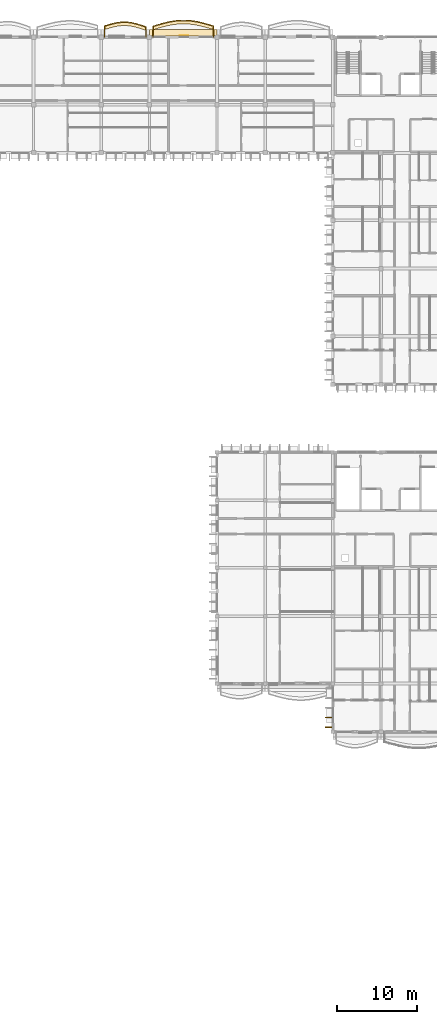
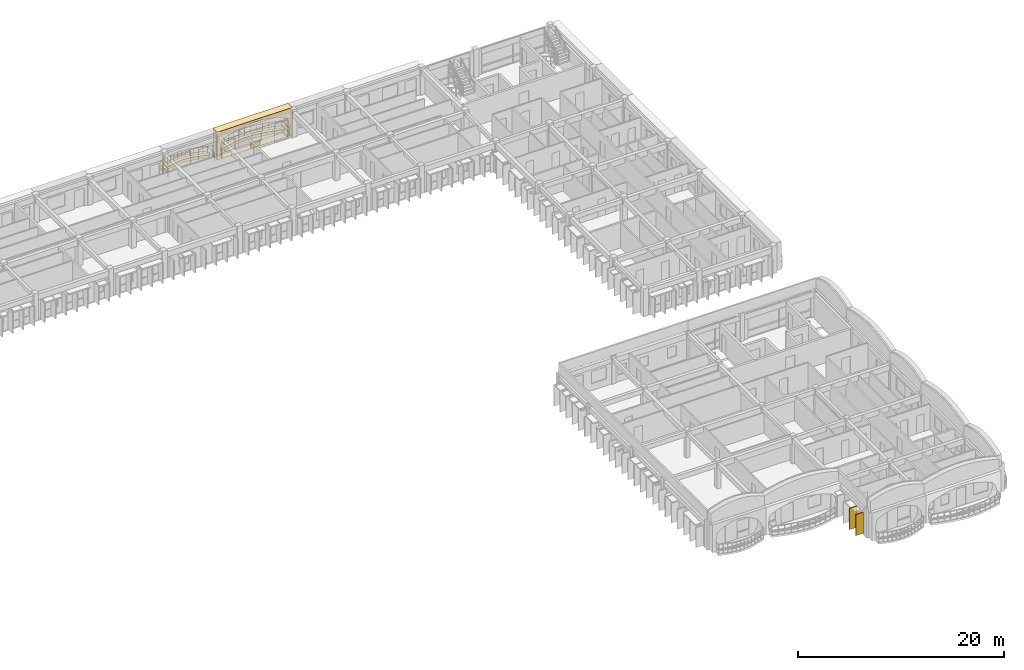
# One storey, part 50 of 59: 6 coverings, 2 railings.
"""IFC4 building model written with IfcOpenShell, lengths in metres."""

from ifc_helpers import new_model, si_unit, direction, frame, origin, origin_2d, place, context, subcontext, project, spatial, polyline, rectangle, outline, extrude, material, layer, layer_set, type_object, element, save


model = new_model("IFC4")

# Units and contexts
model_context = context("Model", 3, precision=1e-05, world=origin(), true_north=direction((0.0, 1.0)))
body_context = subcontext(model_context, "Body", "Model", "MODEL_VIEW")
ifc_project = project(units=[si_unit("LENGTHUNIT", "METRE"), si_unit("AREAUNIT", "SQUARE_METRE"), si_unit("VOLUMEUNIT", "CUBIC_METRE"), si_unit("PLANEANGLEUNIT", "RADIAN"), si_unit("MASSUNIT", "GRAM", prefix="KILO"), si_unit("THERMODYNAMICTEMPERATUREUNIT", "KELVIN")], contexts=[model_context])

# Site, building, storey
site_placement = place(None, origin())
site = spatial("IfcSite", under=ifc_project, at=site_placement, CompositionType="ELEMENT")
building_placement = place(site_placement, origin())
building = spatial("IfcBuilding", under=site, at=building_placement, Name="Thalorik Housing Commons", CompositionType="ELEMENT")
storey_placement = place(building_placement, frame((0.0, 0.0, 27.89990234375)))
storey = spatial("IfcBuildingStorey", under=building, at=storey_placement, Name="L08", CompositionType="ELEMENT", Elevation=27.89990234375)

# Coverings
ifc_material_1 = material(Name="Precast concrete C40/50", Category="concrete")
ifc_layer_1 = layer(ifc_material_1, 0.85009765625, Name="Precast concrete C40/50", Category="concrete")
ifc_layer_set_1 = layer_set([ifc_layer_1], Name="Precast concrete C40/50")
covering_type_1 = type_object("IfcCoveringType", Name="ARC-CLD-CUSH-850", PredefinedType="CLADDING", material=ifc_layer_set_1)
covering_1_placement = place(storey_placement, frame((133.800048828125, 124.1474609375, 0.0), z_axis=(0.0, 0.0, 1.0), x_axis=(-1.0, 0.0, 0.0)))
element("IfcCovering", 1, at=covering_1_placement, inside=storey, type_object=covering_type_1, Name="L08 White Precast Curved Cushion Bay Frame 2712", PredefinedType="CLADDING", context=body_context, shape_type="SweptSolid", body=[
    extrude(outline(polyline([(-4.199951171875, 0.0), (4.199951171875, 0.0), (4.199951171875, 3.300048828125), (-4.199951171875, 3.300048828125), (-4.199951171875, 0.0)]), holes=[polyline([(3.574951171875, 0.02490234375), (3.706787109375, 0.394287109375), (3.7861328125, 0.76318359375), (3.8125, 1.132568359375), (3.7861328125, 1.501708984375), (3.706787109375, 1.870849609375), (3.574951171875, 2.239990234375), (2.974609375, 2.4833984375), (2.374267578125, 2.6748046875), (1.773681640625, 2.82958984375), (1.17333984375, 2.94482421875), (0.572998046875, 3.01611328125), (-0.027587890625, 3.0400390625), (-0.6279296875, 3.01611328125), (-1.228271484375, 2.94482421875), (-1.828857421875, 2.82958984375), (-2.42919921875, 2.6748046875), (-3.029541015625, 2.4833984375), (-3.6298828125, 2.239990234375), (-3.750244140625, 1.870849609375), (-3.822509765625, 1.501708984375), (-3.8466796875, 1.132568359375), (-3.822509765625, 0.76318359375), (-3.750244140625, 0.394287109375), (-3.6298828125, 0.02490234375), (3.574951171875, 0.02490234375)])]), frame((0.0, 0.425048828125, 0.0), z_axis=(0.0, -1.0, 0.0), x_axis=(1.0, 0.0, 0.0)), (0.0, 0.0, 1.0), 0.85009765625),
])
ifc_layer_2 = layer(ifc_material_1, 0.85009765625, Name="Precast concrete C40/50", Category="concrete")
ifc_layer_set_2 = layer_set([ifc_layer_2], Name="Precast concrete C40/50")
covering_type_2 = type_object("IfcCoveringType", Name="ARC-CLD-FIN-850", PredefinedType="CLADDING", material=ifc_layer_set_2)
for number, where, z_axis, x_axis, name in (
    (2, (151.862548828125, 39.0, 0.0400390625), (0.0, 0.0, 1.0), (0.0, -1.0, 0.0), "L08 Courtyard Precast Vertical Brise-Soleil Fin 5101"),
    (3, (151.862548828125, 37.800048828125, 0.0400390625), (0.0, 0.0, 1.0), (0.0, -1.0, 0.0), "L08 Courtyard Precast Vertical Brise-Soleil Fin 5102"),
):
    element("IfcCovering", number, at=place(storey_placement, frame(where, z_axis=z_axis, x_axis=x_axis)), inside=storey, type_object=covering_type_2, Name=name, PredefinedType="CLADDING", context=body_context, shape_type="SweptSolid", body=[
        extrude(rectangle(XDim=0.110107421875, YDim=0.85009765625, at=origin_2d()), origin(), (0.0, 0.0, 1.0), 2.4951171875),
    ])
ifc_material_2 = material(Name="Mineral ochre architectural terracotta panel", Category="masonry")
ifc_layer_3 = layer(ifc_material_2, 0.06494140625, Name="Mineral ochre architectural terracotta panel", Category="masonry")
ifc_layer_set_3 = layer_set([ifc_layer_3], Name="Mineral ochre architectural terracotta panel")
covering_type_3 = type_object("IfcCoveringType", Name="ARC-CLD-YEL-65", PredefinedType="CLADDING", material=ifc_layer_set_3)
covering_2_placement = place(storey_placement, frame((133.89501953125, 123.760009765625, 0.05029296875), z_axis=(0.0, 0.0, 1.0), x_axis=(-1.0, 0.0, 0.0)))
element("IfcCovering", 4, at=covering_2_placement, inside=storey, type_object=covering_type_3, Name="L08 De Stijl Recessed Window Spandrel 2713", PredefinedType="CLADDING", context=body_context, shape_type="SweptSolid", body=[
    extrude(rectangle(XDim=1.050048828125, YDim=0.06494140625, at=origin_2d()), origin(), (0.0, 0.0, 1.0), 0.699951171875),
])
ifc_material_3 = material(Name="Planted vegetated substrate and terracotta trough", Category="masonry")
ifc_layer_4 = layer(ifc_material_3, 0.340087890625, Name="Planted vegetated substrate and terracotta trough", Category="masonry")
ifc_layer_set_4 = layer_set([ifc_layer_4], Name="Planted vegetated substrate and terracotta trough")
covering_type_4 = type_object("IfcCoveringType", Name="ARC-COV-PLANTER", PredefinedType="USERDEFINED", material=ifc_layer_set_4)
covering_3_placement = place(storey_placement, origin())
element("IfcCovering", 5, at=covering_3_placement, inside=storey, type_object=covering_type_4, Name="L08 Balcony Slab-Edge Planted Trough 5518", ObjectType="PLANTER", PredefinedType="USERDEFINED", context=body_context, shape_type="SweptSolid", body=[
    extrude(outline(polyline([(129.179931640625, 124.80078125), (128.75, 124.948486328125), (128.320068359375, 125.089111328125), (127.889892578125, 125.212890625), (127.4599609375, 125.311279296875), (127.030029296875, 125.377685546875), (126.60009765625, 125.407958984375), (126.169921875, 125.39990234375), (125.739990234375, 125.35498046875), (125.31005859375, 125.2763671875), (124.8798828125, 125.170166015625), (124.449951171875, 125.04443359375), (124.02001953125, 124.908203125), (124.02001953125, 124.5283203125), (124.449951171875, 124.664306640625), (124.8798828125, 124.790283203125), (125.31005859375, 124.896240234375), (125.739990234375, 124.974853515625), (126.169921875, 125.02001953125), (126.60009765625, 125.02783203125), (127.030029296875, 124.997802734375), (127.4599609375, 124.931396484375), (127.889892578125, 124.832763671875), (128.320068359375, 124.708984375), (128.75, 124.568603515625), (129.179931640625, 124.4208984375), (129.179931640625, 124.80078125)])), origin(), (0.0, 0.0, 1.0), 0.340087890625),
])
covering_4_placement = place(storey_placement, origin())
element("IfcCovering", 6, at=covering_4_placement, inside=storey, type_object=covering_type_4, Name="L08 Balcony Slab-Edge Planted Trough 5519", ObjectType="PLANTER", PredefinedType="USERDEFINED", context=body_context, shape_type="SweptSolid", body=[
    extrude(outline(polyline([(137.580078125, 124.9052734375), (136.949951171875, 125.095703125), (136.320068359375, 125.2724609375), (135.68994140625, 125.423095703125), (135.06005859375, 125.53759765625), (134.429931640625, 125.60791015625), (133.800048828125, 125.62890625), (133.169921875, 125.599609375), (132.5400390625, 125.521484375), (131.909912109375, 125.400390625), (131.280029296875, 125.24462890625), (130.64990234375, 125.065185546875), (130.02001953125, 124.874267578125), (130.02001953125, 124.494384765625), (130.64990234375, 124.685302734375), (131.280029296875, 124.86474609375), (131.909912109375, 125.0205078125), (132.5400390625, 125.1416015625), (133.169921875, 125.219482421875), (133.800048828125, 125.2490234375), (134.429931640625, 125.227783203125), (135.06005859375, 125.15771484375), (135.68994140625, 125.043212890625), (136.320068359375, 124.892333984375), (136.949951171875, 124.715576171875), (137.580078125, 124.525146484375), (137.580078125, 124.9052734375)])), origin(), (0.0, 0.0, 1.0), 0.340087890625),
])

# Railings
ifc_material_4 = material(Name="Steel S355", Category="steel")
railing_type_1 = type_object("IfcRailingType", Name="ARC-RL-BAL-112", PredefinedType="BALUSTRADE", material=ifc_material_4)
railing_1_placement = place(storey_placement, frame((129.179931640625, 123.60009765625, 0.0)))
element("IfcRailing", 7, at=railing_1_placement, inside=storey, type_object=railing_type_1, Name="L08 Cushion Balcony Guardrail 202", PredefinedType="BALUSTRADE", context=body_context, shape_type="SweptSolid", body=[
    extrude(rectangle(XDim=0.050048828125, YDim=0.050048828125, at=origin_2d()), frame((0.0, 0.0, 1.09521484375), z_axis=(0.0, 1.0, 0.0), x_axis=(-1.0, 0.0, 0.0)), (0.0, 0.0, 1.0), 1.270751953125),
    extrude(rectangle(XDim=0.050048828125, YDim=0.050048828125, at=origin_2d()), frame((0.0, 0.0, 0.53515625), z_axis=(0.0, 1.0, 0.0), x_axis=(-1.0, 0.0, 0.0)), (0.0, 0.0, 1.0), 1.270751953125),
    extrude(rectangle(XDim=0.050048828125, YDim=0.050048828125, at=origin_2d()), frame((0.0, 1.270751953125, 1.09521484375), z_axis=(-0.945743338546, 0.324914662022, 0.0), x_axis=(-0.324914662022, -0.945743338546, 0.0)), (0.0, 0.0, 1.0), 0.45458984375),
    extrude(rectangle(XDim=0.050048828125, YDim=0.050048828125, at=origin_2d()), frame((0.0, 1.270751953125, 0.53515625), z_axis=(-0.945743338546, 0.324914662022, 0.0), x_axis=(-0.324914662022, -0.945743338546, 0.0)), (0.0, 0.0, 1.0), 0.45458984375),
    extrude(rectangle(XDim=0.050048828125, YDim=0.050048828125, at=origin_2d()), frame((-0.429931640625, 1.41845703125, 1.09521484375), z_axis=(-0.950608707094, 0.310391826564, 0.0), x_axis=(-0.310391826564, -0.950608707094, 0.0)), (0.0, 0.0, 1.0), 0.4521484375),
    extrude(rectangle(XDim=0.050048828125, YDim=0.050048828125, at=origin_2d()), frame((-0.429931640625, 1.41845703125, 0.53515625), z_axis=(-0.950608707094, 0.310391826564, 0.0), x_axis=(-0.310391826564, -0.950608707094, 0.0)), (0.0, 0.0, 1.0), 0.4521484375),
    extrude(rectangle(XDim=0.050048828125, YDim=0.050048828125, at=origin_2d()), frame((-0.85986328125, 1.558837890625, 1.09521484375), z_axis=(-0.961007725956, 0.27652151933, 0.0), x_axis=(-0.27652151933, -0.961007725956, 0.0)), (0.0, 0.0, 1.0), 0.447509765625),
    extrude(rectangle(XDim=0.050048828125, YDim=0.050048828125, at=origin_2d()), frame((-0.85986328125, 1.558837890625, 0.53515625), z_axis=(-0.961007725956, 0.27652151933, 0.0), x_axis=(-0.27652151933, -0.961007725956, 0.0)), (0.0, 0.0, 1.0), 0.447509765625),
    extrude(rectangle(XDim=0.050048828125, YDim=0.050048828125, at=origin_2d()), frame((-1.2900390625, 1.6826171875, 1.09521484375), z_axis=(-0.974679568058, 0.2236062155, 0.0), x_axis=(-0.2236062155, -0.974679568058, 0.0)), (0.0, 0.0, 1.0), 0.441162109375),
    extrude(rectangle(XDim=0.050048828125, YDim=0.050048828125, at=origin_2d()), frame((-1.2900390625, 1.6826171875, 0.53515625), z_axis=(-0.974679568058, 0.2236062155, 0.0), x_axis=(-0.2236062155, -0.974679568058, 0.0)), (0.0, 0.0, 1.0), 0.441162109375),
    extrude(rectangle(XDim=0.050048828125, YDim=0.050048828125, at=origin_2d()), frame((-1.719970703125, 1.78125, 1.09521484375), z_axis=(-0.988280690568, 0.152647556976, 0.0), x_axis=(-0.152647556976, -0.988280690568, 0.0)), (0.0, 0.0, 1.0), 0.43505859375),
    extrude(rectangle(XDim=0.050048828125, YDim=0.050048828125, at=origin_2d()), frame((-1.719970703125, 1.78125, 0.53515625), z_axis=(-0.988280690568, 0.152647556976, 0.0), x_axis=(-0.152647556976, -0.988280690568, 0.0)), (0.0, 0.0, 1.0), 0.43505859375),
    extrude(rectangle(XDim=0.050048828125, YDim=0.050048828125, at=origin_2d()), frame((-2.14990234375, 1.84765625, 1.09521484375), z_axis=(-0.997569609779, 0.069676923341, 0.0), x_axis=(-0.069676923341, -0.997569609779, 0.0)), (0.0, 0.0, 1.0), 0.430908203125),
    extrude(rectangle(XDim=0.050048828125, YDim=0.050048828125, at=origin_2d()), frame((-2.14990234375, 1.84765625, 0.53515625), z_axis=(-0.997569609779, 0.069676923341, 0.0), x_axis=(-0.069676923341, -0.997569609779, 0.0)), (0.0, 0.0, 1.0), 0.430908203125),
    extrude(rectangle(XDim=0.050048828125, YDim=0.050048828125, at=origin_2d()), frame((-2.579833984375, 1.877685546875, 1.09521484375), z_axis=(-0.999835126546, -0.01815818618, 0.0), x_axis=(0.01815818618, -0.999835126546, 0.0)), (0.0, 0.0, 1.0), 0.43017578125),
    extrude(rectangle(XDim=0.050048828125, YDim=0.050048828125, at=origin_2d()), frame((-2.579833984375, 1.877685546875, 0.53515625), z_axis=(-0.999835126546, -0.01815818618, 0.0), x_axis=(0.01815818618, -0.999835126546, 0.0)), (0.0, 0.0, 1.0), 0.43017578125),
    extrude(rectangle(XDim=0.050048828125, YDim=0.050048828125, at=origin_2d()), frame((-3.010009765625, 1.869873046875, 1.09521484375), z_axis=(-0.994527093325, -0.104478996176, 0.0), x_axis=(0.104478996176, -0.994527093325, 0.0)), (0.0, 0.0, 1.0), 0.432373046875),
    extrude(rectangle(XDim=0.050048828125, YDim=0.050048828125, at=origin_2d()), frame((-3.010009765625, 1.869873046875, 0.53515625), z_axis=(-0.994527093325, -0.104478996176, 0.0), x_axis=(0.104478996176, -0.994527093325, 0.0)), (0.0, 0.0, 1.0), 0.432373046875),
    extrude(rectangle(XDim=0.050048828125, YDim=0.050048828125, at=origin_2d()), frame((-3.43994140625, 1.82470703125, 1.09521484375), z_axis=(-0.983690667617, -0.179868480961, 0.0), x_axis=(0.179868480961, -0.983690667617, 0.0)), (0.0, 0.0, 1.0), 0.43701171875),
    extrude(rectangle(XDim=0.050048828125, YDim=0.050048828125, at=origin_2d()), frame((-3.43994140625, 1.82470703125, 0.53515625), z_axis=(-0.983690667617, -0.179868480961, 0.0), x_axis=(0.179868480961, -0.983690667617, 0.0)), (0.0, 0.0, 1.0), 0.43701171875),
    extrude(rectangle(XDim=0.050048828125, YDim=0.050048828125, at=origin_2d()), frame((-3.869873046875, 1.74609375, 1.09521484375), z_axis=(-0.970979450466, -0.239162929343, 0.0), x_axis=(0.239162929343, -0.970979450466, 0.0)), (0.0, 0.0, 1.0), 0.443115234375),
    extrude(rectangle(XDim=0.050048828125, YDim=0.050048828125, at=origin_2d()), frame((-3.869873046875, 1.74609375, 0.53515625), z_axis=(-0.970979450466, -0.239162929343, 0.0), x_axis=(0.239162929343, -0.970979450466, 0.0)), (0.0, 0.0, 1.0), 0.443115234375),
    extrude(rectangle(XDim=0.050048828125, YDim=0.050048828125, at=origin_2d()), frame((-4.300048828125, 1.64013671875, 1.09521484375), z_axis=(-0.959798308367, -0.280690589897, 0.0), x_axis=(0.280690589897, -0.959798308367, 0.0)), (0.0, 0.0, 1.0), 0.447998046875),
    extrude(rectangle(XDim=0.050048828125, YDim=0.050048828125, at=origin_2d()), frame((-4.300048828125, 1.64013671875, 0.53515625), z_axis=(-0.959798308367, -0.280690589897, 0.0), x_axis=(0.280690589897, -0.959798308367, 0.0)), (0.0, 0.0, 1.0), 0.447998046875),
    extrude(rectangle(XDim=0.050048828125, YDim=0.050048828125, at=origin_2d()), frame((-4.72998046875, 1.514404296875, 1.09521484375), z_axis=(-0.953287680153, -0.302063898652, 0.0), x_axis=(0.302063898652, -0.953287680153, 0.0)), (0.0, 0.0, 1.0), 0.450927734375),
    extrude(rectangle(XDim=0.050048828125, YDim=0.050048828125, at=origin_2d()), frame((-4.72998046875, 1.514404296875, 0.53515625), z_axis=(-0.953287680153, -0.302063898652, 0.0), x_axis=(0.302063898652, -0.953287680153, 0.0)), (0.0, 0.0, 1.0), 0.450927734375),
    extrude(rectangle(XDim=0.050048828125, YDim=0.050048828125, at=origin_2d()), frame((-5.159912109375, 1.378173828125, 1.09521484375), z_axis=(0.0, -1.0, 0.0), x_axis=(1.0, 0.0, 0.0)), (0.0, 0.0, 1.0), 1.378173828125),
    extrude(rectangle(XDim=0.050048828125, YDim=0.050048828125, at=origin_2d()), frame((-5.159912109375, 1.378173828125, 0.53515625), z_axis=(0.0, -1.0, 0.0), x_axis=(1.0, 0.0, 0.0)), (0.0, 0.0, 1.0), 1.378173828125),
    extrude(rectangle(XDim=0.0419921875, YDim=0.0419921875, at=origin_2d()), origin(), (0.0, 0.0, 1.0), 1.070068359375),
    extrude(rectangle(XDim=0.0419921875, YDim=0.0419921875, at=origin_2d()), frame((0.0, 1.270751953125, 0.0)), (0.0, 0.0, 1.0), 1.070068359375),
    extrude(rectangle(XDim=0.0419921875, YDim=0.0419921875, at=origin_2d()), frame((-0.429931640625, 1.41845703125, 0.0)), (0.0, 0.0, 1.0), 1.070068359375),
    extrude(rectangle(XDim=0.0419921875, YDim=0.0419921875, at=origin_2d()), frame((-0.85986328125, 1.558837890625, 0.0)), (0.0, 0.0, 1.0), 1.070068359375),
    extrude(rectangle(XDim=0.0419921875, YDim=0.0419921875, at=origin_2d()), frame((-1.2900390625, 1.6826171875, 0.0)), (0.0, 0.0, 1.0), 1.070068359375),
    extrude(rectangle(XDim=0.0419921875, YDim=0.0419921875, at=origin_2d()), frame((-1.719970703125, 1.78125, 0.0)), (0.0, 0.0, 1.0), 1.070068359375),
    extrude(rectangle(XDim=0.0419921875, YDim=0.0419921875, at=origin_2d()), frame((-2.14990234375, 1.84765625, 0.0)), (0.0, 0.0, 1.0), 1.070068359375),
    extrude(rectangle(XDim=0.0419921875, YDim=0.0419921875, at=origin_2d()), frame((-2.579833984375, 1.877685546875, 0.0)), (0.0, 0.0, 1.0), 1.070068359375),
    extrude(rectangle(XDim=0.0419921875, YDim=0.0419921875, at=origin_2d()), frame((-3.010009765625, 1.869873046875, 0.0)), (0.0, 0.0, 1.0), 1.070068359375),
    extrude(rectangle(XDim=0.0419921875, YDim=0.0419921875, at=origin_2d()), frame((-3.43994140625, 1.82470703125, 0.0)), (0.0, 0.0, 1.0), 1.070068359375),
    extrude(rectangle(XDim=0.0419921875, YDim=0.0419921875, at=origin_2d()), frame((-3.869873046875, 1.74609375, 0.0)), (0.0, 0.0, 1.0), 1.070068359375),
    extrude(rectangle(XDim=0.0419921875, YDim=0.0419921875, at=origin_2d()), frame((-4.300048828125, 1.64013671875, 0.0)), (0.0, 0.0, 1.0), 1.070068359375),
    extrude(rectangle(XDim=0.0419921875, YDim=0.0419921875, at=origin_2d()), frame((-4.72998046875, 1.514404296875, 0.0)), (0.0, 0.0, 1.0), 1.070068359375),
    extrude(rectangle(XDim=0.0419921875, YDim=0.0419921875, at=origin_2d()), frame((-5.159912109375, 1.378173828125, 0.0)), (0.0, 0.0, 1.0), 1.070068359375),
    extrude(rectangle(XDim=0.0419921875, YDim=0.0419921875, at=origin_2d()), frame((-5.159912109375, 0.0, 0.0)), (0.0, 0.0, 1.0), 1.070068359375),
])
railing_type_2 = type_object("IfcRailingType", Name="ARC-RL-BAL-115", PredefinedType="BALUSTRADE", material=ifc_material_4)
railing_2_placement = place(storey_placement, frame((137.580078125, 123.60009765625, 0.0)))
element("IfcRailing", 8, at=railing_2_placement, inside=storey, type_object=railing_type_2, Name="L08 Cushion Balcony Guardrail 203", PredefinedType="BALUSTRADE", context=body_context, shape_type="SweptSolid", body=[
    extrude(rectangle(XDim=0.050048828125, YDim=0.050048828125, at=origin_2d()), frame((0.0, 0.0, 1.125), z_axis=(0.0, 1.0, 0.0), x_axis=(-1.0, 0.0, 0.0)), (0.0, 0.0, 1.0), 1.375),
    extrude(rectangle(XDim=0.050048828125, YDim=0.050048828125, at=origin_2d()), frame((0.0, 0.0, 0.5498046875), z_axis=(0.0, 1.0, 0.0), x_axis=(-1.0, 0.0, 0.0)), (0.0, 0.0, 1.0), 1.375),
    extrude(rectangle(XDim=0.050048828125, YDim=0.050048828125, at=origin_2d()), frame((0.0, 1.375, 1.125), z_axis=(-0.957242481646, 0.289286763148, 0.0), x_axis=(-0.289286763148, -0.957242481646, 0.0)), (0.0, 0.0, 1.0), 0.658203125),
    extrude(rectangle(XDim=0.050048828125, YDim=0.050048828125, at=origin_2d()), frame((0.0, 1.375, 0.5498046875), z_axis=(-0.957242481646, 0.289286763148, 0.0), x_axis=(-0.289286763148, -0.957242481646, 0.0)), (0.0, 0.0, 1.0), 0.658203125),
    extrude(rectangle(XDim=0.050048828125, YDim=0.050048828125, at=origin_2d()), frame((-0.630126953125, 1.5654296875, 1.125), z_axis=(-0.962808829557, 0.270183563023, 0.0), x_axis=(-0.270183563023, -0.962808829557, 0.0)), (0.0, 0.0, 1.0), 0.654296875),
    extrude(rectangle(XDim=0.050048828125, YDim=0.050048828125, at=origin_2d()), frame((-0.630126953125, 1.5654296875, 0.5498046875), z_axis=(-0.962808829557, 0.270183563023, 0.0), x_axis=(-0.270183563023, -0.962808829557, 0.0)), (0.0, 0.0, 1.0), 0.654296875),
    extrude(rectangle(XDim=0.050048828125, YDim=0.050048828125, at=origin_2d()), frame((-1.260009765625, 1.7421875, 1.125), z_axis=(-0.972510295114, 0.232859884688, 0.0), x_axis=(-0.232859884688, -0.972510295114, 0.0)), (0.0, 0.0, 1.0), 0.64794921875),
    extrude(rectangle(XDim=0.050048828125, YDim=0.050048828125, at=origin_2d()), frame((-1.260009765625, 1.7421875, 0.5498046875), z_axis=(-0.972510295114, 0.232859884688, 0.0), x_axis=(-0.232859884688, -0.972510295114, 0.0)), (0.0, 0.0, 1.0), 0.64794921875),
    extrude(rectangle(XDim=0.050048828125, YDim=0.050048828125, at=origin_2d()), frame((-1.89013671875, 1.89306640625, 1.125), z_axis=(-0.983876011084, 0.178851879534, 0.0), x_axis=(-0.178851879534, -0.983876011084, 0.0)), (0.0, 0.0, 1.0), 0.64013671875),
    extrude(rectangle(XDim=0.050048828125, YDim=0.050048828125, at=origin_2d()), frame((-1.89013671875, 1.89306640625, 0.5498046875), z_axis=(-0.983876011084, 0.178851879534, 0.0), x_axis=(-0.178851879534, -0.983876011084, 0.0)), (0.0, 0.0, 1.0), 0.64013671875),
    extrude(rectangle(XDim=0.050048828125, YDim=0.050048828125, at=origin_2d()), frame((-2.52001953125, 2.007568359375, 1.125), z_axis=(-0.993831971969, 0.110896399817, 0.0), x_axis=(-0.110896399817, -0.993831971969, 0.0)), (0.0, 0.0, 1.0), 0.634033203125),
    extrude(rectangle(XDim=0.050048828125, YDim=0.050048828125, at=origin_2d()), frame((-2.52001953125, 2.007568359375, 0.5498046875), z_axis=(-0.993831971969, 0.110896399817, 0.0), x_axis=(-0.110896399817, -0.993831971969, 0.0)), (0.0, 0.0, 1.0), 0.634033203125),
    extrude(rectangle(XDim=0.050048828125, YDim=0.050048828125, at=origin_2d()), frame((-3.150146484375, 2.077880859375, 1.125), z_axis=(-0.999444906979, 0.033314830233, 0.0), x_axis=(-0.033314830233, -0.999444906979, 0.0)), (0.0, 0.0, 1.0), 0.630126953125),
    extrude(rectangle(XDim=0.050048828125, YDim=0.050048828125, at=origin_2d()), frame((-3.150146484375, 2.077880859375, 0.5498046875), z_axis=(-0.999444906979, 0.033314830233, 0.0), x_axis=(-0.033314830233, -0.999444906979, 0.0)), (0.0, 0.0, 1.0), 0.630126953125),
    extrude(rectangle(XDim=0.050048828125, YDim=0.050048828125, at=origin_2d()), frame((-3.780029296875, 2.098876953125, 1.125), z_axis=(-0.99890289151, -0.046829620253, 0.0), x_axis=(0.046829620253, -0.99890289151, 0.0)), (0.0, 0.0, 1.0), 0.630859375),
    extrude(rectangle(XDim=0.050048828125, YDim=0.050048828125, at=origin_2d()), frame((-3.780029296875, 2.098876953125, 0.5498046875), z_axis=(-0.99890289151, -0.046829620253, 0.0), x_axis=(0.046829620253, -0.99890289151, 0.0)), (0.0, 0.0, 1.0), 0.630859375),
    extrude(rectangle(XDim=0.050048828125, YDim=0.050048828125, at=origin_2d()), frame((-4.41015625, 2.0693359375, 1.125), z_axis=(-0.99244269425, -0.122708999793, 0.0), x_axis=(0.122708999793, -0.99244269425, 0.0)), (0.0, 0.0, 1.0), 0.634765625),
    extrude(rectangle(XDim=0.050048828125, YDim=0.050048828125, at=origin_2d()), frame((-4.41015625, 2.0693359375, 0.5498046875), z_axis=(-0.99244269425, -0.122708999793, 0.0), x_axis=(0.122708999793, -0.99244269425, 0.0)), (0.0, 0.0, 1.0), 0.634765625),
    extrude(rectangle(XDim=0.050048828125, YDim=0.050048828125, at=origin_2d()), frame((-5.0400390625, 1.991455078125, 1.125), z_axis=(-0.982030863602, -0.188720382932, 0.0), x_axis=(0.188720382932, -0.982030863602, 0.0)), (0.0, 0.0, 1.0), 0.6416015625),
    extrude(rectangle(XDim=0.050048828125, YDim=0.050048828125, at=origin_2d()), frame((-5.0400390625, 1.991455078125, 0.5498046875), z_axis=(-0.982030863602, -0.188720382932, 0.0), x_axis=(0.188720382932, -0.982030863602, 0.0)), (0.0, 0.0, 1.0), 0.6416015625),
    extrude(rectangle(XDim=0.050048828125, YDim=0.050048828125, at=origin_2d()), frame((-5.670166015625, 1.870361328125, 1.125), z_axis=(-0.970759060708, -0.240055922764, 0.0), x_axis=(0.240055922764, -0.970759060708, 0.0)), (0.0, 0.0, 1.0), 0.64892578125),
    extrude(rectangle(XDim=0.050048828125, YDim=0.050048828125, at=origin_2d()), frame((-5.670166015625, 1.870361328125, 0.5498046875), z_axis=(-0.970759060708, -0.240055922764, 0.0), x_axis=(0.240055922764, -0.970759060708, 0.0)), (0.0, 0.0, 1.0), 0.64892578125),
    extrude(rectangle(XDim=0.050048828125, YDim=0.050048828125, at=origin_2d()), frame((-6.300048828125, 1.714599609375, 1.125), z_axis=(-0.961762630436, -0.273884360081, 0.0), x_axis=(0.273884360081, -0.961762630436, 0.0)), (0.0, 0.0, 1.0), 0.6552734375),
    extrude(rectangle(XDim=0.050048828125, YDim=0.050048828125, at=origin_2d()), frame((-6.300048828125, 1.714599609375, 0.5498046875), z_axis=(-0.961762630436, -0.273884360081, 0.0), x_axis=(0.273884360081, -0.961762630436, 0.0)), (0.0, 0.0, 1.0), 0.6552734375),
    extrude(rectangle(XDim=0.050048828125, YDim=0.050048828125, at=origin_2d()), frame((-6.93017578125, 1.53515625, 1.125), z_axis=(-0.957005684235, -0.290069164756, 0.0), x_axis=(0.290069164756, -0.957005684235, 0.0)), (0.0, 0.0, 1.0), 0.658203125),
    extrude(rectangle(XDim=0.050048828125, YDim=0.050048828125, at=origin_2d()), frame((-6.93017578125, 1.53515625, 0.5498046875), z_axis=(-0.957005684235, -0.290069164756, 0.0), x_axis=(0.290069164756, -0.957005684235, 0.0)), (0.0, 0.0, 1.0), 0.658203125),
    extrude(rectangle(XDim=0.050048828125, YDim=0.050048828125, at=origin_2d()), frame((-7.56005859375, 1.34423828125, 1.125), z_axis=(0.0, -1.0, 0.0), x_axis=(1.0, 0.0, 0.0)), (0.0, 0.0, 1.0), 1.34423828125),
    extrude(rectangle(XDim=0.050048828125, YDim=0.050048828125, at=origin_2d()), frame((-7.56005859375, 1.34423828125, 0.5498046875), z_axis=(0.0, -1.0, 0.0), x_axis=(1.0, 0.0, 0.0)), (0.0, 0.0, 1.0), 1.34423828125),
    extrude(rectangle(XDim=0.0419921875, YDim=0.0419921875, at=origin_2d()), origin(), (0.0, 0.0, 1.0), 1.099853515625),
    extrude(rectangle(XDim=0.0419921875, YDim=0.0419921875, at=origin_2d()), frame((0.0, 1.375, 0.0)), (0.0, 0.0, 1.0), 1.099853515625),
    extrude(rectangle(XDim=0.0419921875, YDim=0.0419921875, at=origin_2d()), frame((-0.630126953125, 1.5654296875, 0.0)), (0.0, 0.0, 1.0), 1.099853515625),
    extrude(rectangle(XDim=0.0419921875, YDim=0.0419921875, at=origin_2d()), frame((-1.260009765625, 1.7421875, 0.0)), (0.0, 0.0, 1.0), 1.099853515625),
    extrude(rectangle(XDim=0.0419921875, YDim=0.0419921875, at=origin_2d()), frame((-1.89013671875, 1.89306640625, 0.0)), (0.0, 0.0, 1.0), 1.099853515625),
    extrude(rectangle(XDim=0.0419921875, YDim=0.0419921875, at=origin_2d()), frame((-2.52001953125, 2.007568359375, 0.0)), (0.0, 0.0, 1.0), 1.099853515625),
    extrude(rectangle(XDim=0.0419921875, YDim=0.0419921875, at=origin_2d()), frame((-3.150146484375, 2.077880859375, 0.0)), (0.0, 0.0, 1.0), 1.099853515625),
    extrude(rectangle(XDim=0.0419921875, YDim=0.0419921875, at=origin_2d()), frame((-3.780029296875, 2.098876953125, 0.0)), (0.0, 0.0, 1.0), 1.099853515625),
    extrude(rectangle(XDim=0.0419921875, YDim=0.0419921875, at=origin_2d()), frame((-4.41015625, 2.0693359375, 0.0)), (0.0, 0.0, 1.0), 1.099853515625),
    extrude(rectangle(XDim=0.0419921875, YDim=0.0419921875, at=origin_2d()), frame((-5.0400390625, 1.991455078125, 0.0)), (0.0, 0.0, 1.0), 1.099853515625),
    extrude(rectangle(XDim=0.0419921875, YDim=0.0419921875, at=origin_2d()), frame((-5.670166015625, 1.870361328125, 0.0)), (0.0, 0.0, 1.0), 1.099853515625),
    extrude(rectangle(XDim=0.0419921875, YDim=0.0419921875, at=origin_2d()), frame((-6.300048828125, 1.714599609375, 0.0)), (0.0, 0.0, 1.0), 1.099853515625),
    extrude(rectangle(XDim=0.0419921875, YDim=0.0419921875, at=origin_2d()), frame((-6.93017578125, 1.53515625, 0.0)), (0.0, 0.0, 1.0), 1.099853515625),
    extrude(rectangle(XDim=0.0419921875, YDim=0.0419921875, at=origin_2d()), frame((-7.56005859375, 1.34423828125, 0.0)), (0.0, 0.0, 1.0), 1.099853515625),
    extrude(rectangle(XDim=0.0419921875, YDim=0.0419921875, at=origin_2d()), frame((-7.56005859375, 0.0, 0.0)), (0.0, 0.0, 1.0), 1.099853515625),
])

save(model, "model.ifc")
